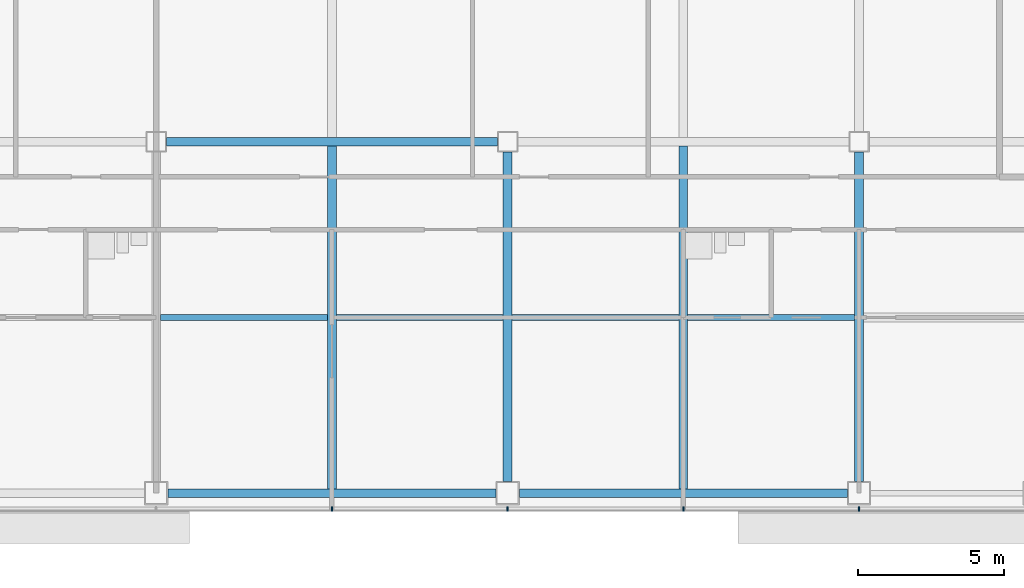
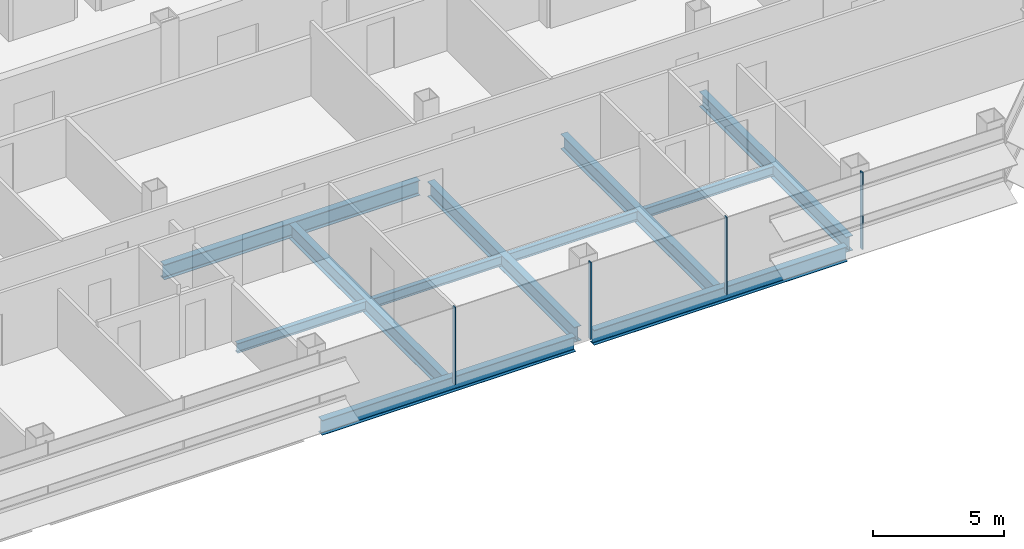
# One storey, part 8 of 25: 11 beams, 4 members, 1 element without a shape of its own.
"""IFC4 building model written with IfcOpenShell, lengths in metres."""

from ifc_helpers import new_model, si_unit, direction, frame, origin, origin_2d, place, context, subcontext, project, spatial, rectangle, i_section, extrude, material, material_profile, profile_set, type_object, element, aggregate, save


model = new_model("IFC4")

# Units and contexts
model_context = context("Model", 3, precision=1e-05, world=origin(), true_north=direction((0.0, 1.0)))
body_context = subcontext(model_context, "Body", "Model", "MODEL_VIEW")
ifc_project = project(units=[si_unit("LENGTHUNIT", "METRE"), si_unit("AREAUNIT", "SQUARE_METRE"), si_unit("VOLUMEUNIT", "CUBIC_METRE"), si_unit("PLANEANGLEUNIT", "RADIAN"), si_unit("MASSUNIT", "GRAM", prefix="KILO")], contexts=[model_context])

# Site, building, storey
site_placement = place(None, origin())
site = spatial("IfcSite", under=ifc_project, at=site_placement, CompositionType="ELEMENT")
building_placement = place(site_placement, origin())
building = spatial("IfcBuilding", under=site, at=building_placement, Name="Sorahane Residences", CompositionType="ELEMENT")
storey_placement = place(building_placement, frame((0.0, 0.0, 99.800048828125)))
storey = spatial("IfcBuildingStorey", under=building, at=storey_placement, Name="L21", CompositionType="ELEMENT", Elevation=99.800048828125)

# Curtain wall, members
ifc_material_1 = material(Name="Dark low-e glass and black anodised aluminium", Category="aluminium")
curtain_wall_type = type_object("IfcCurtainWallType", Name="Curtain wall CW-1 Typical unitised wall", PredefinedType="NOTDEFINED", material=ifc_material_1)
curtain_wall_placement = place(storey_placement, origin())
curtain_wall = element("IfcCurtainWall", 1, at=curtain_wall_placement, inside=storey, type_object=curtain_wall_type, Name="CW-1 curtain wall L21 S1", PredefinedType="NOTDEFINED")
ifc_material_2 = material(Name="Black anodised aluminium", Category="aluminium")
ifc_material_profile_1 = material_profile(ifc_material_2, rectangle(XDim=0.159912109375, YDim=0.050048828125, at=origin_2d()), Name="Curtain wall mullion CW-1 black anodised aluminium 50x160")
ifc_profile_set_1 = profile_set([ifc_material_profile_1], Name="Black anodised aluminium")
member_type = type_object("IfcMemberType", Name="Curtain wall mullion CW-1 black anodised aluminium 50x160", PredefinedType="MULLION", material=ifc_profile_set_1)
member_1_placement = place(storey_placement, frame((30.0, -0.5400390625, -0.179931640625), z_axis=(0.0, 0.0, 1.0), x_axis=(0.0, -1.0, 0.0)))
member_1 = element("IfcMember", 2, at=member_1_placement, type_object=member_type, Name="CW-1 mullion L21 S1.6", PredefinedType="MULLION", context=body_context, shape_type="SweptSolid", body=[
    extrude(rectangle(XDim=0.159912109375, YDim=0.050048828125, at=origin_2d()), origin(), (0.0, 0.0, 1.0), 3.599853515625),
])
member_2_placement = place(storey_placement, frame((36.0, -0.5400390625, -0.179931640625), z_axis=(0.0, 0.0, 1.0), x_axis=(0.0, -1.0, 0.0)))
member_2 = element("IfcMember", 3, at=member_2_placement, type_object=member_type, Name="CW-1 mullion L21 S1.7", PredefinedType="MULLION", context=body_context, shape_type="SweptSolid", body=[
    extrude(rectangle(XDim=0.159912109375, YDim=0.050048828125, at=origin_2d()), origin(), (0.0, 0.0, 1.0), 3.599853515625),
])
member_3_placement = place(storey_placement, frame((42.0, -0.5400390625, -0.179931640625), z_axis=(0.0, 0.0, 1.0), x_axis=(0.0, -1.0, 0.0)))
member_3 = element("IfcMember", 4, at=member_3_placement, type_object=member_type, Name="CW-1 mullion L21 S1.8", PredefinedType="MULLION", context=body_context, shape_type="SweptSolid", body=[
    extrude(rectangle(XDim=0.159912109375, YDim=0.050048828125, at=origin_2d()), origin(), (0.0, 0.0, 1.0), 3.599853515625),
])
member_4_placement = place(storey_placement, frame((48.0, -0.5400390625, -0.179931640625), z_axis=(0.0, 0.0, 1.0), x_axis=(0.0, -1.0, 0.0)))
member_4 = element("IfcMember", 5, at=member_4_placement, type_object=member_type, Name="CW-1 mullion L21 S1.9", PredefinedType="MULLION", context=body_context, shape_type="SweptSolid", body=[
    extrude(rectangle(XDim=0.159912109375, YDim=0.050048828125, at=origin_2d()), origin(), (0.0, 0.0, 1.0), 3.599853515625),
])
aggregate(curtain_wall, [member_1, member_2, member_3, member_4])

# Beams
ifc_material_3 = material(Name="Steel Q355B", Category="steel")
ifc_material_profile_2 = material_profile(ifc_material_3, i_section(OverallWidth=0.199951171875, OverallDepth=0.449951171875, WebThickness=0.009033203125, FlangeThickness=0.013916015625, FilletRadius=0.02001953125, at=origin_2d()), Name="HN 450x200x9x14")
ifc_profile_set_2 = profile_set([ifc_material_profile_2], Name="Steel Q355B")
beam_type_1 = type_object("IfcBeamType", Name="Steel floor beam HN 450x200x9x14 Q355B", PredefinedType="BEAM", material=ifc_profile_set_2)
for number, where, z_axis, x_axis, name in (
    (6, (24.14990234375, 6.0, -0.405029296875), (1.0, 0.0, 0.0), (0.0, 1.0, 0.0), "Beam L21 073"),
    (7, (30.14990234375, 6.0, -0.405029296875), (1.0, 0.0, 0.0), (0.0, 1.0, 0.0), "Beam L21 074"),
    (8, (36.14990234375, 6.0, -0.405029296875), (1.0, 0.0, 0.0), (0.0, 1.0, 0.0), "Beam L21 075"),
    (9, (42.14990234375, 6.0, -0.405029296875), (1.0, 0.0, 0.0), (0.0, 1.0, 0.0), "Beam L21 076"),
):
    element("IfcBeam", number, at=place(storey_placement, frame(where, z_axis=z_axis, x_axis=x_axis)), inside=storey, type_object=beam_type_1, Name=name, PredefinedType="BEAM", context=body_context, shape_type="SweptSolid", body=[
        extrude(i_section(OverallWidth=0.199951171875, OverallDepth=0.449951171875, WebThickness=0.009033203125, FlangeThickness=0.013916015625, FilletRadius=0.02001953125, at=origin_2d()), origin(), (0.0, 0.0, 1.0), 5.7001953125),
    ])
ifc_material_4 = material(Name="Steel Q355B", Category="steel")
ifc_material_profile_3 = material_profile(ifc_material_4, i_section(OverallWidth=0.300048828125, OverallDepth=0.699951171875, WebThickness=0.012939453125, FlangeThickness=0.02392578125, FilletRadius=0.028076171875, at=origin_2d()), Name="HN 700x300x13x24")
ifc_profile_set_3 = profile_set([ifc_material_profile_3], Name="Steel Q355B")
beam_type_2 = type_object("IfcBeamType", Name="Steel floor beam HN 700x300x13x24 Q355B", PredefinedType="BEAM", material=ifc_profile_set_3)
for number, where, z_axis, x_axis, name in (
    (10, (24.39990234375, 0.0, -0.530029296875), (1.0, 0.0, 0.0), (0.0, 1.0, 0.0), "Beam L21 002"),
    (11, (36.39990234375, 0.0, -0.530029296875), (1.0, 0.0, 0.0), (0.0, 1.0, 0.0), "Beam L21 003"),
):
    element("IfcBeam", number, at=place(storey_placement, frame(where, z_axis=z_axis, x_axis=x_axis)), inside=storey, type_object=beam_type_2, Name=name, PredefinedType="BEAM", context=body_context, shape_type="SweptSolid", body=[
        extrude(i_section(OverallWidth=0.300048828125, OverallDepth=0.699951171875, WebThickness=0.012939453125, FlangeThickness=0.02392578125, FilletRadius=0.028076171875, at=origin_2d()), origin(), (0.0, 0.0, 1.0), 11.2001953125),
    ])
beam_1_placement = place(storey_placement, frame((24.35009765625, 12.0, -0.530029296875), z_axis=(1.0, 0.0, 0.0), x_axis=(0.0, 1.0, 0.0)))
element("IfcBeam", 12, at=beam_1_placement, inside=storey, type_object=beam_type_2, Name="Beam L21 008", PredefinedType="BEAM", context=body_context, shape_type="SweptSolid", body=[
    extrude(i_section(OverallWidth=0.300048828125, OverallDepth=0.699951171875, WebThickness=0.012939453125, FlangeThickness=0.02392578125, FilletRadius=0.028076171875, at=origin_2d()), origin(), (0.0, 0.0, 1.0), 11.2998046875),
])
beam_2_placement = place(storey_placement, frame((30.0, 0.14990234375, -0.530029296875), z_axis=(0.0, 1.0, 0.0), x_axis=(-1.0, 0.0, 0.0)))
element("IfcBeam", 13, at=beam_2_placement, inside=storey, type_object=beam_type_2, Name="Beam L21 044", PredefinedType="BEAM", context=body_context, shape_type="SweptSolid", body=[
    extrude(i_section(OverallWidth=0.300048828125, OverallDepth=0.699951171875, WebThickness=0.012939453125, FlangeThickness=0.02392578125, FilletRadius=0.028076171875, at=origin_2d()), origin(), (0.0, 0.0, 1.0), 11.7001953125),
])
beam_3_placement = place(storey_placement, frame((36.0, 0.39990234375, -0.530029296875), z_axis=(0.0, 1.0, 0.0), x_axis=(-1.0, 0.0, 0.0)))
element("IfcBeam", 14, at=beam_3_placement, inside=storey, type_object=beam_type_2, Name="Beam L21 050", PredefinedType="BEAM", context=body_context, shape_type="SweptSolid", body=[
    extrude(i_section(OverallWidth=0.300048828125, OverallDepth=0.699951171875, WebThickness=0.012939453125, FlangeThickness=0.02392578125, FilletRadius=0.028076171875, at=origin_2d()), origin(), (0.0, 0.0, 1.0), 11.25),
])
beam_4_placement = place(storey_placement, frame((42.0, 0.14990234375, -0.530029296875), z_axis=(0.0, 1.0, 0.0), x_axis=(-1.0, 0.0, 0.0)))
element("IfcBeam", 15, at=beam_4_placement, inside=storey, type_object=beam_type_2, Name="Beam L21 052", PredefinedType="BEAM", context=body_context, shape_type="SweptSolid", body=[
    extrude(i_section(OverallWidth=0.300048828125, OverallDepth=0.699951171875, WebThickness=0.012939453125, FlangeThickness=0.02392578125, FilletRadius=0.028076171875, at=origin_2d()), origin(), (0.0, 0.0, 1.0), 11.7001953125),
])
beam_5_placement = place(storey_placement, frame((48.0, 0.39990234375, -0.530029296875), z_axis=(0.0, 1.0, 0.0), x_axis=(-1.0, 0.0, 0.0)))
element("IfcBeam", 16, at=beam_5_placement, inside=storey, type_object=beam_type_2, Name="Beam L21 058", PredefinedType="BEAM", context=body_context, shape_type="SweptSolid", body=[
    extrude(i_section(OverallWidth=0.300048828125, OverallDepth=0.699951171875, WebThickness=0.012939453125, FlangeThickness=0.02392578125, FilletRadius=0.028076171875, at=origin_2d()), origin(), (0.0, 0.0, 1.0), 11.25),
])

save(model, "model.ifc")
